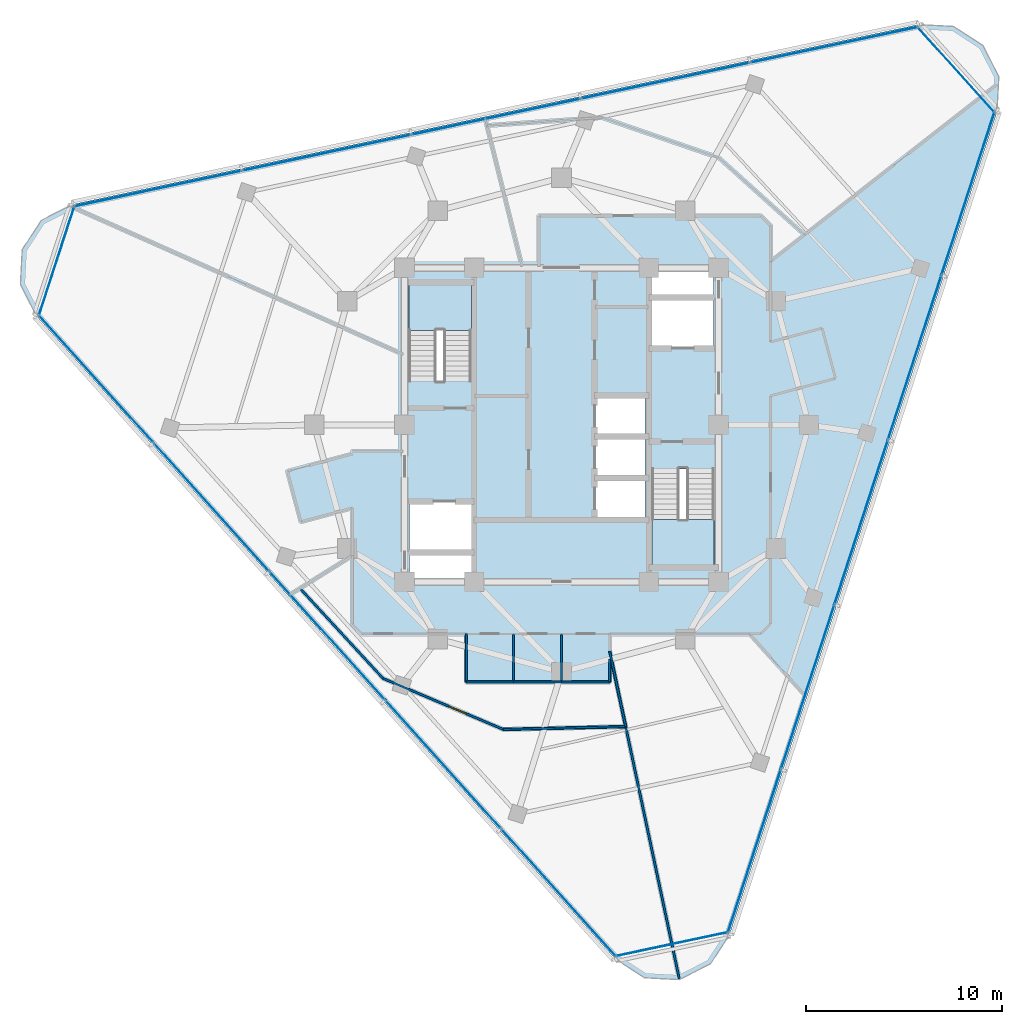
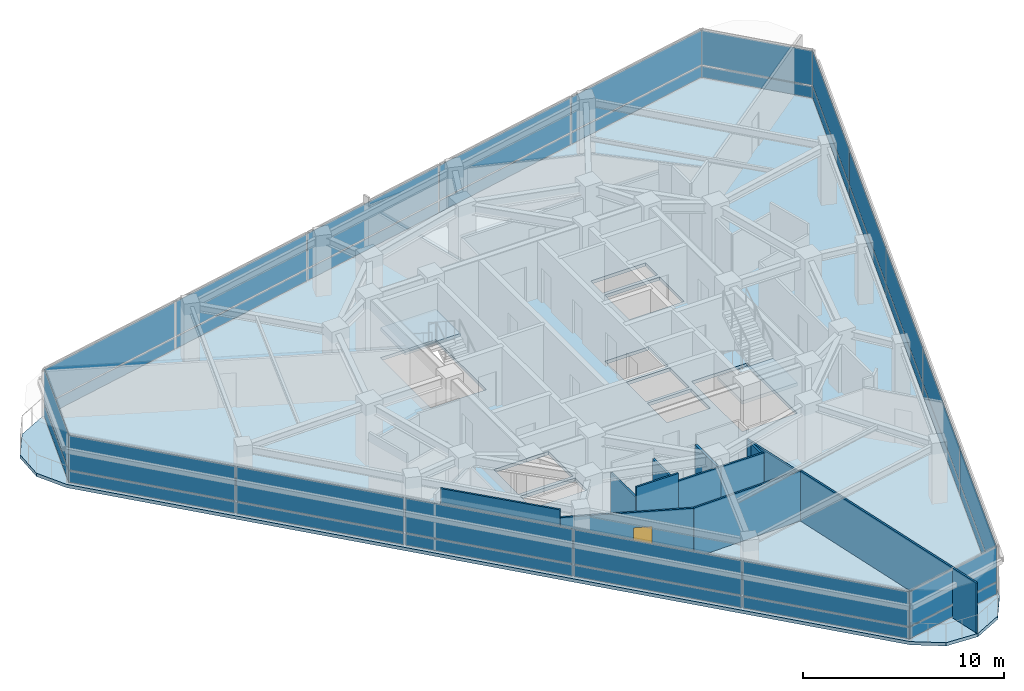
# One storey, part 7 of 15: 36 plates, 12 walls, 3 slabs, 1 door, 1 opening, 8 elements without a shape of their own.
"""IFC4 building model written with IfcOpenShell, lengths in metres."""

from ifc_helpers import new_model, si_unit, direction, frame, frame_2d, origin, origin_2d, place, context, subcontext, project, spatial, polyline, rectangle, outline, extrude, material, layer, layer_set, type_object, element, fill, aggregate, save


model = new_model("IFC4")

# Units and contexts
model_context = context("Model", 3, precision=1e-05, world=origin(), true_north=direction((0.0, 1.0)))
body_context = subcontext(model_context, "Body", "Model", "MODEL_VIEW")
ifc_project = project(units=[si_unit("LENGTHUNIT", "METRE"), si_unit("AREAUNIT", "SQUARE_METRE"), si_unit("VOLUMEUNIT", "CUBIC_METRE"), si_unit("PLANEANGLEUNIT", "RADIAN"), si_unit("MASSUNIT", "GRAM", prefix="KILO")], contexts=[model_context])

# Site, building, storey
site_placement = place(None, origin())
site = spatial("IfcSite", under=ifc_project, at=site_placement, CompositionType="ELEMENT")
building_placement = place(site_placement, origin())
building = spatial("IfcBuilding", under=site, at=building_placement, Name="Terralouvre Media Tower", CompositionType="ELEMENT")
storey_placement = place(building_placement, frame((0.0, 0.0, 286.89990234375)))
storey = spatial("IfcBuildingStorey", under=building, at=storey_placement, Name="L74", CompositionType="ELEMENT", Elevation=286.89990234375)

# Slab
ifc_material_1 = material(Name="Concrete C40/50", Category="concrete")
ifc_layer_1 = layer(ifc_material_1, 0.199951171875, Name="Composite Tower Floor Slab S-TYP200")
ifc_layer_set_1 = layer_set([ifc_layer_1], Name="Concrete C40/50")
slab_type_1 = type_object("IfcSlabType", Name="Composite Tower Floor Slab S-TYP200", PredefinedType="FLOOR", material=ifc_layer_set_1)
slab_1_placement = place(storey_placement, frame((0.0, 0.0, -0.199951171875), z_axis=(0.0, 0.0, 1.0), x_axis=(0.309016994375, 0.951056516295, 0.0)))
element("IfcSlab", 1, at=slab_1_placement, inside=storey, type_object=slab_type_1, Name="L74 Structural Floor Slab", PredefinedType="FLOOR", context=body_context, shape_type="SweptSolid", body=[
    extrude(outline(polyline([(-25.0390625, -11.016357421875), (-25.5, -12.736328125), (-25.0390625, -14.456298828125), (-23.780029296875, -15.715576171875), (-22.06005859375, -16.17626953125), (22.06005859375, -16.17626953125), (23.780029296875, -15.715576171875), (25.0390625, -14.456298828125), (25.5, -12.736328125), (25.0390625, -11.016357421875), (2.97900390625, 27.192626953125), (1.719970703125, 28.451904296875), (0.0, 28.91259765625), (-1.719970703125, 28.451904296875), (-2.97900390625, 27.192626953125), (-25.0390625, -11.016357421875)]), holes=[polyline([(-7.698486328125, 2.33544921875), (-8.839599609375, 1.964599609375), (-9.813232421875, 4.96044921875), (-8.671875, 5.3310546875), (-7.698486328125, 2.33544921875)]), polyline([(-5.17822265625, 3.154296875), (-7.50830078125, 2.397216796875), (-8.481689453125, 5.39306640625), (-6.151611328125, 6.150146484375), (-5.17822265625, 3.154296875)]), polyline([(-5.483154296875, -6.618408203125), (-0.713623046875, -5.068603515625), (0.26904296875, -8.093017578125), (-4.50048828125, -9.642578125), (-5.483154296875, -6.618408203125)]), polyline([(-1.33056640625, -4.901123046875), (-3.17578125, -5.50048828125), (-3.9482421875, -3.122802734375), (-2.103271484375, -2.5234375), (-1.33056640625, -4.901123046875)]), polyline([(0.66650390625, -4.252197265625), (-1.178466796875, -4.8515625), (-1.950927734375, -2.473876953125), (-0.10595703125, -1.87451171875), (0.66650390625, -4.252197265625)]), polyline([(2.663818359375, -3.603271484375), (0.81884765625, -4.20263671875), (0.046142578125, -1.824951171875), (1.891357421875, -1.2255859375), (2.663818359375, -3.603271484375)]), polyline([(5.483154296875, 6.618408203125), (0.713623046875, 5.068603515625), (-0.26904296875, 8.093017578125), (4.50048828125, 9.642578125), (5.483154296875, 6.618408203125)]), polyline([(6.151611328125, -6.150146484375), (5.17822265625, -3.154296875), (7.50830078125, -2.397216796875), (8.481689453125, -5.39306640625), (6.151611328125, -6.150146484375)]), polyline([(8.671875, -5.3310546875), (7.698486328125, -2.33544921875), (8.839599609375, -1.964599609375), (9.813232421875, -4.96044921875), (8.671875, -5.3310546875)])]), origin(), (0.0, 0.0, 1.0), 0.199951171875),
])

# Stair, slab
ifc_material_2 = material(Name="Concrete C45/55", Category="concrete")
stair_type_1 = type_object("IfcStairType", Name="Dogleg Stair Assembly ST-01", PredefinedType="HALF_TURN_STAIR", material=ifc_material_2)
stair_1_placement = place(storey_placement, origin())
stair_1 = element("IfcStair", 2, at=stair_1_placement, inside=storey, type_object=stair_type_1, Name="L74 Core Pressurised Exit Stair ST-01", PredefinedType="HALF_TURN_STAIR")
ifc_material_3 = material(Name="Concrete C45/55", Category="concrete")
ifc_layer_2 = layer(ifc_material_3, 0.199951171875, Name="Reinforced Concrete Stair Half-Landing SL-LD1")
ifc_layer_set_2 = layer_set([ifc_layer_2], Name="Concrete C45/55")
slab_type_2 = type_object("IfcSlabType", Name="Reinforced Concrete Stair Half-Landing SL-LD1", PredefinedType="LANDING", material=ifc_layer_set_2)
slab_2_placement = place(storey_placement, frame((0.0, 0.0, 1.650146484375)))
slab_2 = element("IfcSlab", 3, at=slab_2_placement, type_object=slab_type_2, Name="ST-01 landing 1", PredefinedType="LANDING", context=body_context, shape_type="SweptSolid", body=[
    extrude(outline(polyline([(-4.60009765625, 4.820068359375), (-4.60009765625, 7.260009765625), (-7.780029296875, 7.260009765625), (-7.780029296875, 4.820068359375), (-4.60009765625, 4.820068359375)])), origin(), (0.0, 0.0, 1.0), 0.199951171875),
])
aggregate(stair_1, [slab_2])

ifc_material_4 = material(Name="Concrete C45/55", Category="concrete")
stair_type_2 = type_object("IfcStairType", Name="Dogleg Stair Assembly ST-02", PredefinedType="HALF_TURN_STAIR", material=ifc_material_4)
stair_2_placement = place(storey_placement, origin())
stair_2 = element("IfcStair", 4, at=stair_2_placement, inside=storey, type_object=stair_type_2, Name="L74 Core Pressurised Exit Stair ST-02", PredefinedType="HALF_TURN_STAIR")
slab_3_placement = place(storey_placement, frame((0.0, 0.0, 1.650146484375)))
slab_3 = element("IfcSlab", 5, at=slab_3_placement, type_object=slab_type_2, Name="ST-02 landing 1", PredefinedType="LANDING", context=body_context, shape_type="SweptSolid", body=[
    extrude(outline(polyline([(4.60009765625, -4.820068359375), (4.60009765625, -7.260009765625), (7.780029296875, -7.260009765625), (7.780029296875, -4.820068359375), (4.60009765625, -4.820068359375)])), origin(), (0.0, 0.0, 1.0), 0.199951171875),
])
aggregate(stair_2, [slab_3])

# Curtain wall, plates
ifc_material_5 = material(Name="Low-iron laminated double glazing with solar-control coating", Category="glass")
ifc_layer_3 = layer(ifc_material_5, 0.1650390625, Name="Rounded Wind-Corner Curved Glazing CW-04")
ifc_layer_set_3 = layer_set([ifc_layer_3], Name="Low-iron laminated double glazing with solar-control coating")
curtain_wall_type_1 = type_object("IfcCurtainWallType", Name="Rounded Wind-Corner Curved Glazing CW-04", PredefinedType="NOTDEFINED", material=ifc_layer_set_3)
curtain_wall_1_placement = place(storey_placement, origin())
curtain_wall_1 = element("IfcCurtainWall", 6, at=curtain_wall_1_placement, inside=storey, type_object=curtain_wall_type_1, Name="L74 Rounded Wind-Corner Curtain Wall C0", PredefinedType="NOTDEFINED")
ifc_material_6 = material(Name="Low-iron laminated double glazing with solar-control coating", Category="glass")
ifc_layer_4 = layer(ifc_material_6, 0.0400390625, Name="Rounded Corner Laminated Vision Panel CWP-03")
ifc_layer_set_4 = layer_set([ifc_layer_4], Name="Low-iron laminated double glazing with solar-control coating")
plate_type_1 = type_object("IfcPlateType", Name="Rounded Corner Laminated Vision Panel CWP-03", PredefinedType="CURTAIN_PANEL", material=ifc_layer_set_4)
plate_1_placement = place(storey_placement, frame((5.62451171875, -26.46142578125, 0.0751953125), z_axis=(0.0, 0.0, 1.0), x_axis=(0.978147609922, 0.207911647592, 0.0)))
plate_1 = element("IfcPlate", 7, at=plate_1_placement, type_object=plate_type_1, Name="CW-04 panel 1.1", PredefinedType="CURTAIN_PANEL", context=body_context, shape_type="SweptSolid", body=[
    extrude(rectangle(XDim=5.808349609375, YDim=0.035888671875, at=origin_2d()), origin(), (0.0, 0.0, 1.0), 0.6875),
])
plate_2_placement = place(storey_placement, frame((5.62451171875, -26.46142578125, 0.837646484375), z_axis=(0.0, 0.0, 1.0), x_axis=(0.978147609922, 0.207911647592, 0.0)))
plate_2 = element("IfcPlate", 8, at=plate_2_placement, type_object=plate_type_1, Name="CW-04 panel 1.2", PredefinedType="CURTAIN_PANEL", context=body_context, shape_type="SweptSolid", body=[
    extrude(rectangle(XDim=5.808349609375, YDim=0.035888671875, at=origin_2d()), origin(), (0.0, 0.0, 1.0), 2.08740234375),
])
aggregate(curtain_wall_1, [plate_1, plate_2])

curtain_wall_2_placement = place(storey_placement, origin())
curtain_wall_2 = element("IfcCurtainWall", 9, at=curtain_wall_2_placement, inside=storey, type_object=curtain_wall_type_1, Name="L74 Rounded Wind-Corner Curtain Wall C1", PredefinedType="NOTDEFINED")
plate_3_placement = place(storey_placement, frame((20.10400390625, 18.101806640625, 0.0751953125), z_axis=(0.0, 0.0, 1.0), x_axis=(-0.669130231192, 0.743145163279, 0.0)))
plate_3 = element("IfcPlate", 10, at=plate_3_placement, type_object=plate_type_1, Name="CW-04 panel 1.1", PredefinedType="CURTAIN_PANEL", context=body_context, shape_type="SweptSolid", body=[
    extrude(rectangle(XDim=5.808349609375, YDim=0.035888671875, at=origin_2d()), origin(), (0.0, 0.0, 1.0), 0.6875),
])
plate_4_placement = place(storey_placement, frame((20.10400390625, 18.101806640625, 0.837646484375), z_axis=(0.0, 0.0, 1.0), x_axis=(-0.669130231192, 0.743145163279, 0.0)))
plate_4 = element("IfcPlate", 11, at=plate_4_placement, type_object=plate_type_1, Name="CW-04 panel 1.2", PredefinedType="CURTAIN_PANEL", context=body_context, shape_type="SweptSolid", body=[
    extrude(rectangle(XDim=5.808349609375, YDim=0.035888671875, at=origin_2d()), origin(), (0.0, 0.0, 1.0), 2.08740234375),
])
aggregate(curtain_wall_2, [plate_3, plate_4])

curtain_wall_3_placement = place(storey_placement, origin())
curtain_wall_3 = element("IfcCurtainWall", 12, at=curtain_wall_3_placement, inside=storey, type_object=curtain_wall_type_1, Name="L74 Rounded Wind-Corner Curtain Wall C2", PredefinedType="NOTDEFINED")
plate_5_placement = place(storey_placement, frame((-25.728759765625, 8.359619140625, 0.0751953125), z_axis=(0.0, 0.0, 1.0), x_axis=(-0.30901654693, -0.951056661679, 0.0)))
plate_5 = element("IfcPlate", 13, at=plate_5_placement, type_object=plate_type_1, Name="CW-04 panel 1.1", PredefinedType="CURTAIN_PANEL", context=body_context, shape_type="SweptSolid", body=[
    extrude(rectangle(XDim=5.808349609375, YDim=0.035888671875, at=origin_2d()), origin(), (0.0, 0.0, 1.0), 0.6875),
])
plate_6_placement = place(storey_placement, frame((-25.728759765625, 8.359619140625, 0.837646484375), z_axis=(0.0, 0.0, 1.0), x_axis=(-0.30901654693, -0.951056661679, 0.0)))
plate_6 = element("IfcPlate", 14, at=plate_6_placement, type_object=plate_type_1, Name="CW-04 panel 1.2", PredefinedType="CURTAIN_PANEL", context=body_context, shape_type="SweptSolid", body=[
    extrude(rectangle(XDim=5.808349609375, YDim=0.035888671875, at=origin_2d()), origin(), (0.0, 0.0, 1.0), 2.08740234375),
])
aggregate(curtain_wall_3, [plate_5, plate_6])

ifc_material_7 = material(Name="Low-iron laminated double glazing with solar-control coating", Category="glass")
ifc_layer_5 = layer(ifc_material_7, 0.1650390625, Name="Faceted Glass-Point Crown Curtain Wall CW-06")
ifc_layer_set_5 = layer_set([ifc_layer_5], Name="Low-iron laminated double glazing with solar-control coating")
curtain_wall_type_2 = type_object("IfcCurtainWallType", Name="Faceted Glass-Point Crown Curtain Wall CW-06", PredefinedType="NOTDEFINED", material=ifc_layer_set_5)
curtain_wall_4_placement = place(storey_placement, origin())
curtain_wall_4 = element("IfcCurtainWall", 15, at=curtain_wall_4_placement, inside=storey, type_object=curtain_wall_type_2, Name="L74 Facade Curtain Wall F0", PredefinedType="NOTDEFINED")
ifc_material_8 = material(Name="Low-iron laminated double glazing with solar-control coating", Category="glass")
ifc_layer_6 = layer(ifc_material_8, 0.035888671875, Name="Vision Double-Glazed Unit CWP-01")
ifc_layer_set_6 = layer_set([ifc_layer_6], Name="Low-iron laminated double glazing with solar-control coating")
plate_type_2 = type_object("IfcPlateType", Name="Vision Double-Glazed Unit CWP-01", PredefinedType="CURTAIN_PANEL", material=ifc_layer_set_6)
plate_7_placement = place(storey_placement, frame((9.82275390625, -21.72802734375, 0.0751953125), z_axis=(0.0, 0.0, 1.0), x_axis=(0.309017021946, 0.951056507337, 0.0)))
plate_7 = element("IfcPlate", 16, at=plate_7_placement, type_object=plate_type_2, Name="CW-06 panel 1.1", PredefinedType="CURTAIN_PANEL", context=body_context, shape_type="SweptSolid", body=[
    extrude(rectangle(XDim=8.71142578125, YDim=0.035888671875, at=origin_2d()), origin(), (0.0, 0.0, 1.0), 0.6875),
])
plate_8_placement = place(storey_placement, frame((9.82275390625, -21.72802734375, 0.837646484375), z_axis=(0.0, 0.0, 1.0), x_axis=(0.309017021946, 0.951056507337, 0.0)))
plate_8 = element("IfcPlate", 17, at=plate_8_placement, type_object=plate_type_2, Name="CW-06 panel 1.2", PredefinedType="CURTAIN_PANEL", context=body_context, shape_type="SweptSolid", body=[
    extrude(rectangle(XDim=8.71142578125, YDim=0.035888671875, at=origin_2d()), origin(), (0.0, 0.0, 1.0), 2.08740234375),
])
plate_9_placement = place(storey_placement, frame((12.543701171875, -13.353759765625, 0.0751953125), z_axis=(0.0, 0.0, 1.0), x_axis=(0.309017021946, 0.951056507337, 0.0)))
plate_9 = element("IfcPlate", 18, at=plate_9_placement, type_object=plate_type_2, Name="CW-06 panel 2.1", PredefinedType="CURTAIN_PANEL", context=body_context, shape_type="SweptSolid", body=[
    extrude(rectangle(XDim=8.7490234375, YDim=0.035888671875, at=origin_2d()), origin(), (0.0, 0.0, 1.0), 0.6875),
])
plate_10_placement = place(storey_placement, frame((12.543701171875, -13.353759765625, 0.837646484375), z_axis=(0.0, 0.0, 1.0), x_axis=(0.309017021946, 0.951056507337, 0.0)))
plate_10 = element("IfcPlate", 19, at=plate_10_placement, type_object=plate_type_2, Name="CW-06 panel 2.2", PredefinedType="CURTAIN_PANEL", context=body_context, shape_type="SweptSolid", body=[
    extrude(rectangle(XDim=8.7490234375, YDim=0.035888671875, at=origin_2d()), origin(), (0.0, 0.0, 1.0), 2.08740234375),
])
plate_11_placement = place(storey_placement, frame((15.2705078125, -4.961669921875, 0.0751953125), z_axis=(0.0, 0.0, 1.0), x_axis=(0.309017021946, 0.951056507337, 0.0)))
plate_11 = element("IfcPlate", 20, at=plate_11_placement, type_object=plate_type_2, Name="CW-06 panel 3.1", PredefinedType="CURTAIN_PANEL", context=body_context, shape_type="SweptSolid", body=[
    extrude(rectangle(XDim=8.7490234375, YDim=0.035888671875, at=origin_2d()), origin(), (0.0, 0.0, 1.0), 0.6875),
])
plate_12_placement = place(storey_placement, frame((15.2705078125, -4.961669921875, 0.837646484375), z_axis=(0.0, 0.0, 1.0), x_axis=(0.309017021946, 0.951056507337, 0.0)))
plate_12 = element("IfcPlate", 21, at=plate_12_placement, type_object=plate_type_2, Name="CW-06 panel 3.2", PredefinedType="CURTAIN_PANEL", context=body_context, shape_type="SweptSolid", body=[
    extrude(rectangle(XDim=8.7490234375, YDim=0.035888671875, at=origin_2d()), origin(), (0.0, 0.0, 1.0), 2.08740234375),
])
plate_13_placement = place(storey_placement, frame((17.997314453125, 3.430419921875, 0.0751953125), z_axis=(0.0, 0.0, 1.0), x_axis=(0.309017021946, 0.951056507337, 0.0)))
plate_13 = element("IfcPlate", 22, at=plate_13_placement, type_object=plate_type_2, Name="CW-06 panel 4.1", PredefinedType="CURTAIN_PANEL", context=body_context, shape_type="SweptSolid", body=[
    extrude(rectangle(XDim=8.7490234375, YDim=0.035888671875, at=origin_2d()), origin(), (0.0, 0.0, 1.0), 0.6875),
])
plate_14_placement = place(storey_placement, frame((17.997314453125, 3.430419921875, 0.837646484375), z_axis=(0.0, 0.0, 1.0), x_axis=(0.309017021946, 0.951056507337, 0.0)))
plate_14 = element("IfcPlate", 23, at=plate_14_placement, type_object=plate_type_2, Name="CW-06 panel 4.2", PredefinedType="CURTAIN_PANEL", context=body_context, shape_type="SweptSolid", body=[
    extrude(rectangle(XDim=8.7490234375, YDim=0.035888671875, at=origin_2d()), origin(), (0.0, 0.0, 1.0), 2.08740234375),
])
plate_15_placement = place(storey_placement, frame((20.71826171875, 11.8046875, 0.0751953125), z_axis=(0.0, 0.0, 1.0), x_axis=(0.309017021946, 0.951056507337, 0.0)))
plate_15 = element("IfcPlate", 24, at=plate_15_placement, type_object=plate_type_2, Name="CW-06 panel 5.1", PredefinedType="CURTAIN_PANEL", context=body_context, shape_type="SweptSolid", body=[
    extrude(rectangle(XDim=8.71142578125, YDim=0.035888671875, at=origin_2d()), origin(), (0.0, 0.0, 1.0), 0.6875),
])
plate_16_placement = place(storey_placement, frame((20.71826171875, 11.8046875, 0.837646484375), z_axis=(0.0, 0.0, 1.0), x_axis=(0.309017021946, 0.951056507337, 0.0)))
plate_16 = element("IfcPlate", 25, at=plate_16_placement, type_object=plate_type_2, Name="CW-06 panel 5.2", PredefinedType="CURTAIN_PANEL", context=body_context, shape_type="SweptSolid", body=[
    extrude(rectangle(XDim=8.71142578125, YDim=0.035888671875, at=origin_2d()), origin(), (0.0, 0.0, 1.0), 2.08740234375),
])
aggregate(curtain_wall_4, [plate_7, plate_8, plate_9, plate_10, plate_11, plate_12, plate_13, plate_14, plate_15, plate_16])

curtain_wall_5_placement = place(storey_placement, origin())
curtain_wall_5 = element("IfcCurtainWall", 26, at=curtain_wall_5_placement, inside=storey, type_object=curtain_wall_type_2, Name="L74 Facade Curtain Wall F1", PredefinedType="NOTDEFINED")
plate_17_placement = place(storey_placement, frame((13.90576171875, 19.370849609375, 0.0751953125), z_axis=(0.0, 0.0, 1.0), x_axis=(-0.978147616145, -0.207911618313, 0.0)))
plate_17 = element("IfcPlate", 27, at=plate_17_placement, type_object=plate_type_2, Name="CW-06 panel 1.1", PredefinedType="CURTAIN_PANEL", context=body_context, shape_type="SweptSolid", body=[
    extrude(rectangle(XDim=8.71142578125, YDim=0.035888671875, at=origin_2d()), origin(), (0.0, 0.0, 1.0), 0.6875),
])
plate_18_placement = place(storey_placement, frame((13.90576171875, 19.370849609375, 0.837646484375), z_axis=(0.0, 0.0, 1.0), x_axis=(-0.978147616145, -0.207911618313, 0.0)))
plate_18 = element("IfcPlate", 28, at=plate_18_placement, type_object=plate_type_2, Name="CW-06 panel 1.2", PredefinedType="CURTAIN_PANEL", context=body_context, shape_type="SweptSolid", body=[
    extrude(rectangle(XDim=8.71142578125, YDim=0.035888671875, at=origin_2d()), origin(), (0.0, 0.0, 1.0), 2.08740234375),
])
plate_19_placement = place(storey_placement, frame((5.29296875, 17.5400390625, 0.0751953125), z_axis=(0.0, 0.0, 1.0), x_axis=(-0.978147616145, -0.207911618313, 0.0)))
plate_19 = element("IfcPlate", 29, at=plate_19_placement, type_object=plate_type_2, Name="CW-06 panel 2.1", PredefinedType="CURTAIN_PANEL", context=body_context, shape_type="SweptSolid", body=[
    extrude(rectangle(XDim=8.7490234375, YDim=0.035888671875, at=origin_2d()), origin(), (0.0, 0.0, 1.0), 0.6875),
])
plate_20_placement = place(storey_placement, frame((5.29296875, 17.5400390625, 0.837646484375), z_axis=(0.0, 0.0, 1.0), x_axis=(-0.978147616145, -0.207911618313, 0.0)))
plate_20 = element("IfcPlate", 30, at=plate_20_placement, type_object=plate_type_2, Name="CW-06 panel 2.2", PredefinedType="CURTAIN_PANEL", context=body_context, shape_type="SweptSolid", body=[
    extrude(rectangle(XDim=8.7490234375, YDim=0.035888671875, at=origin_2d()), origin(), (0.0, 0.0, 1.0), 2.08740234375),
])
plate_21_placement = place(storey_placement, frame((-3.33837890625, 15.70556640625, 0.0751953125), z_axis=(0.0, 0.0, 1.0), x_axis=(-0.978147616145, -0.207911618313, 0.0)))
plate_21 = element("IfcPlate", 31, at=plate_21_placement, type_object=plate_type_2, Name="CW-06 panel 3.1", PredefinedType="CURTAIN_PANEL", context=body_context, shape_type="SweptSolid", body=[
    extrude(rectangle(XDim=8.7490234375, YDim=0.035888671875, at=origin_2d()), origin(), (0.0, 0.0, 1.0), 0.6875),
])
plate_22_placement = place(storey_placement, frame((-3.33837890625, 15.70556640625, 0.837646484375), z_axis=(0.0, 0.0, 1.0), x_axis=(-0.978147616145, -0.207911618313, 0.0)))
plate_22 = element("IfcPlate", 32, at=plate_22_placement, type_object=plate_type_2, Name="CW-06 panel 3.2", PredefinedType="CURTAIN_PANEL", context=body_context, shape_type="SweptSolid", body=[
    extrude(rectangle(XDim=8.7490234375, YDim=0.035888671875, at=origin_2d()), origin(), (0.0, 0.0, 1.0), 2.08740234375),
])
plate_23_placement = place(storey_placement, frame((-11.969482421875, 13.870849609375, 0.0751953125), z_axis=(0.0, 0.0, 1.0), x_axis=(-0.978147616145, -0.207911618313, 0.0)))
plate_23 = element("IfcPlate", 33, at=plate_23_placement, type_object=plate_type_2, Name="CW-06 panel 4.1", PredefinedType="CURTAIN_PANEL", context=body_context, shape_type="SweptSolid", body=[
    extrude(rectangle(XDim=8.7490234375, YDim=0.035888671875, at=origin_2d()), origin(), (0.0, 0.0, 1.0), 0.6875),
])
plate_24_placement = place(storey_placement, frame((-11.969482421875, 13.870849609375, 0.837646484375), z_axis=(0.0, 0.0, 1.0), x_axis=(-0.978147616145, -0.207911618313, 0.0)))
plate_24 = element("IfcPlate", 34, at=plate_24_placement, type_object=plate_type_2, Name="CW-06 panel 4.2", PredefinedType="CURTAIN_PANEL", context=body_context, shape_type="SweptSolid", body=[
    extrude(rectangle(XDim=8.7490234375, YDim=0.035888671875, at=origin_2d()), origin(), (0.0, 0.0, 1.0), 2.08740234375),
])
plate_25_placement = place(storey_placement, frame((-20.582275390625, 12.0400390625, 0.0751953125), z_axis=(0.0, 0.0, 1.0), x_axis=(-0.978147616145, -0.207911618313, 0.0)))
plate_25 = element("IfcPlate", 35, at=plate_25_placement, type_object=plate_type_2, Name="CW-06 panel 5.1", PredefinedType="CURTAIN_PANEL", context=body_context, shape_type="SweptSolid", body=[
    extrude(rectangle(XDim=8.71142578125, YDim=0.035888671875, at=origin_2d()), origin(), (0.0, 0.0, 1.0), 0.6875),
])
plate_26_placement = place(storey_placement, frame((-20.582275390625, 12.0400390625, 0.837646484375), z_axis=(0.0, 0.0, 1.0), x_axis=(-0.978147616145, -0.207911618313, 0.0)))
plate_26 = element("IfcPlate", 36, at=plate_26_placement, type_object=plate_type_2, Name="CW-06 panel 5.2", PredefinedType="CURTAIN_PANEL", context=body_context, shape_type="SweptSolid", body=[
    extrude(rectangle(XDim=8.71142578125, YDim=0.035888671875, at=origin_2d()), origin(), (0.0, 0.0, 1.0), 2.08740234375),
])
aggregate(curtain_wall_5, [plate_17, plate_18, plate_19, plate_20, plate_21, plate_22, plate_23, plate_24, plate_25, plate_26])

curtain_wall_6_placement = place(storey_placement, origin())
curtain_wall_6 = element("IfcCurtainWall", 37, at=curtain_wall_6_placement, inside=storey, type_object=curtain_wall_type_2, Name="L74 Facade Curtain Wall F2", PredefinedType="NOTDEFINED")
plate_27_placement = place(storey_placement, frame((-23.728515625, 2.357177734375, 0.0751953125), z_axis=(0.0, 0.0, 1.0), x_axis=(0.669130573531, -0.743144855036, 0.0)))
plate_27 = element("IfcPlate", 38, at=plate_27_placement, type_object=plate_type_2, Name="CW-06 panel 1.1", PredefinedType="CURTAIN_PANEL", context=body_context, shape_type="SweptSolid", body=[
    extrude(rectangle(XDim=8.71142578125, YDim=0.035888671875, at=origin_2d()), origin(), (0.0, 0.0, 1.0), 0.6875),
])
plate_28_placement = place(storey_placement, frame((-23.728515625, 2.357177734375, 0.837646484375), z_axis=(0.0, 0.0, 1.0), x_axis=(0.669130573531, -0.743144855036, 0.0)))
plate_28 = element("IfcPlate", 39, at=plate_28_placement, type_object=plate_type_2, Name="CW-06 panel 1.2", PredefinedType="CURTAIN_PANEL", context=body_context, shape_type="SweptSolid", body=[
    extrude(rectangle(XDim=8.71142578125, YDim=0.035888671875, at=origin_2d()), origin(), (0.0, 0.0, 1.0), 2.08740234375),
])
plate_29_placement = place(storey_placement, frame((-17.836669921875, -4.186279296875, 0.0751953125), z_axis=(0.0, 0.0, 1.0), x_axis=(0.669130573531, -0.743144855036, 0.0)))
plate_29 = element("IfcPlate", 40, at=plate_29_placement, type_object=plate_type_2, Name="CW-06 panel 2.1", PredefinedType="CURTAIN_PANEL", context=body_context, shape_type="SweptSolid", body=[
    extrude(rectangle(XDim=8.7490234375, YDim=0.035888671875, at=origin_2d()), origin(), (0.0, 0.0, 1.0), 0.6875),
])
plate_30_placement = place(storey_placement, frame((-17.836669921875, -4.186279296875, 0.837646484375), z_axis=(0.0, 0.0, 1.0), x_axis=(0.669130573531, -0.743144855036, 0.0)))
plate_30 = element("IfcPlate", 41, at=plate_30_placement, type_object=plate_type_2, Name="CW-06 panel 2.2", PredefinedType="CURTAIN_PANEL", context=body_context, shape_type="SweptSolid", body=[
    extrude(rectangle(XDim=8.7490234375, YDim=0.035888671875, at=origin_2d()), origin(), (0.0, 0.0, 1.0), 2.08740234375),
])
plate_31_placement = place(storey_placement, frame((-11.93212890625, -10.743896484375, 0.0751953125), z_axis=(0.0, 0.0, 1.0), x_axis=(0.669130573531, -0.743144855036, 0.0)))
plate_31 = element("IfcPlate", 42, at=plate_31_placement, type_object=plate_type_2, Name="CW-06 panel 3.1", PredefinedType="CURTAIN_PANEL", context=body_context, shape_type="SweptSolid", body=[
    extrude(rectangle(XDim=8.7490234375, YDim=0.035888671875, at=origin_2d()), origin(), (0.0, 0.0, 1.0), 0.6875),
])
plate_32_placement = place(storey_placement, frame((-11.93212890625, -10.743896484375, 0.837646484375), z_axis=(0.0, 0.0, 1.0), x_axis=(0.669130573531, -0.743144855036, 0.0)))
plate_32 = element("IfcPlate", 43, at=plate_32_placement, type_object=plate_type_2, Name="CW-06 panel 3.2", PredefinedType="CURTAIN_PANEL", context=body_context, shape_type="SweptSolid", body=[
    extrude(rectangle(XDim=8.7490234375, YDim=0.035888671875, at=origin_2d()), origin(), (0.0, 0.0, 1.0), 2.08740234375),
])
plate_33_placement = place(storey_placement, frame((-6.02783203125, -17.30126953125, 0.0751953125), z_axis=(0.0, 0.0, 1.0), x_axis=(0.669130573531, -0.743144855036, 0.0)))
plate_33 = element("IfcPlate", 44, at=plate_33_placement, type_object=plate_type_2, Name="CW-06 panel 4.1", PredefinedType="CURTAIN_PANEL", context=body_context, shape_type="SweptSolid", body=[
    extrude(rectangle(XDim=8.7490234375, YDim=0.035888671875, at=origin_2d()), origin(), (0.0, 0.0, 1.0), 0.6875),
])
plate_34_placement = place(storey_placement, frame((-6.02783203125, -17.30126953125, 0.837646484375), z_axis=(0.0, 0.0, 1.0), x_axis=(0.669130573531, -0.743144855036, 0.0)))
plate_34 = element("IfcPlate", 45, at=plate_34_placement, type_object=plate_type_2, Name="CW-06 panel 4.2", PredefinedType="CURTAIN_PANEL", context=body_context, shape_type="SweptSolid", body=[
    extrude(rectangle(XDim=8.7490234375, YDim=0.035888671875, at=origin_2d()), origin(), (0.0, 0.0, 1.0), 2.08740234375),
])
plate_35_placement = place(storey_placement, frame((-0.135986328125, -23.844970703125, 0.0751953125), z_axis=(0.0, 0.0, 1.0), x_axis=(0.669130573531, -0.743144855036, 0.0)))
plate_35 = element("IfcPlate", 46, at=plate_35_placement, type_object=plate_type_2, Name="CW-06 panel 5.1", PredefinedType="CURTAIN_PANEL", context=body_context, shape_type="SweptSolid", body=[
    extrude(rectangle(XDim=8.71142578125, YDim=0.035888671875, at=origin_2d()), origin(), (0.0, 0.0, 1.0), 0.6875),
])
plate_36_placement = place(storey_placement, frame((-0.135986328125, -23.844970703125, 0.837646484375), z_axis=(0.0, 0.0, 1.0), x_axis=(0.669130573531, -0.743144855036, 0.0)))
plate_36 = element("IfcPlate", 47, at=plate_36_placement, type_object=plate_type_2, Name="CW-06 panel 5.2", PredefinedType="CURTAIN_PANEL", context=body_context, shape_type="SweptSolid", body=[
    extrude(rectangle(XDim=8.71142578125, YDim=0.035888671875, at=origin_2d()), origin(), (0.0, 0.0, 1.0), 2.08740234375),
])
aggregate(curtain_wall_6, [plate_27, plate_28, plate_29, plate_30, plate_31, plate_32, plate_33, plate_34, plate_35, plate_36])

# Walls
ifc_material_9 = material(Name="Low-iron laminated double glazing with solar-control coating", Category="glass")
ifc_layer_7 = layer(ifc_material_9, 0.10009765625, Name="Demountable Glazed Office Partition PT-GL100")
ifc_layer_set_7 = layer_set([ifc_layer_7], Name="Low-iron laminated double glazing with solar-control coating")
wall_type_1 = type_object("IfcWallType", Name="Demountable Glazed Office Partition PT-GL100", PredefinedType="MOVABLE", material=ifc_layer_set_7)
wall_1_placement = place(storey_placement, frame((-2.449951171875, -13.10009765625, 0.0), z_axis=(0.0, 0.0, 1.0), x_axis=(-1.0, 0.0, 0.0)))
element("IfcWall", 48, at=wall_1_placement, inside=storey, type_object=wall_type_1, Name="L74 Interior Partition 030", PredefinedType="MOVABLE", context=body_context, shape_type="SweptSolid", body=[
    extrude(rectangle(XDim=2.400146484375, YDim=0.10009765625, at=frame_2d((1.2001953125, 0.0))), origin(), (0.0, 0.0, 1.0), 3.5),
])
wall_2_placement = place(storey_placement, frame((-4.85009765625, -13.10009765625, 0.0), z_axis=(0.0, 0.0, 1.0), x_axis=(0.0, 1.0, 0.0)))
element("IfcWall", 49, at=wall_2_placement, inside=storey, type_object=wall_type_1, Name="L74 Interior Partition 031", PredefinedType="MOVABLE", context=body_context, shape_type="SweptSolid", body=[
    extrude(rectangle(XDim=2.4501953125, YDim=0.10009765625, at=frame_2d((1.22509765625, 0.0))), origin(), (0.0, 0.0, 1.0), 2.885009765625),
])
wall_3_placement = place(storey_placement, frame((0.0, -13.10009765625, 0.0), z_axis=(0.0, 0.0, 1.0), x_axis=(-1.0, 0.0, 0.0)))
element("IfcWall", 50, at=wall_3_placement, inside=storey, type_object=wall_type_1, Name="L74 Interior Partition 032", PredefinedType="MOVABLE", context=body_context, shape_type="SweptSolid", body=[
    extrude(rectangle(XDim=2.449951171875, YDim=0.10009765625, at=frame_2d((1.22509765625, 0.0))), origin(), (0.0, 0.0, 1.0), 3.03515625),
])
wall_4_placement = place(storey_placement, frame((-13.3291015625, -8.3291015625, 0.0), z_axis=(0.0, 0.0, 1.0), x_axis=(0.677841155448, -0.735208384052, 0.0)))
element("IfcWall", 51, at=wall_4_placement, inside=storey, type_object=wall_type_1, Name="L74 Interior Partition 033", PredefinedType="MOVABLE", context=body_context, shape_type="SweptSolid", body=[
    extrude(rectangle(XDim=6.239013671875, YDim=0.10009765625, at=frame_2d((3.11962890625, 0.0))), origin(), (0.0, 0.0, 1.0), 3.5),
])

# Wall, opening, door
wall_5_placement = place(storey_placement, frame((-9.10009765625, -12.916015625, 0.0), z_axis=(0.0, 0.0, 1.0), x_axis=(0.920506675175, -0.390726836752, 0.0)))
wall_5 = element("IfcWall", 52, at=wall_5_placement, inside=storey, type_object=wall_type_1, Name="L74 Interior Partition 034", PredefinedType="MOVABLE", context=body_context, shape_type="SweptSolid", body=[
    extrude(rectangle(XDim=6.659423828125, YDim=0.10009765625, at=frame_2d((3.32958984375, 0.0))), origin(), (0.0, 0.0, 1.0), 3.03515625),
])
opening_placement = place(wall_5_placement, frame((3.668701171875, 0.0, 0.0)))
opening = element("IfcOpeningElement", 53, at=opening_placement, cuts=wall_5, Name="Opening ID-03-92X210", PredefinedType="OPENING", context=body_context, shape_type="SweptSolid", body=[
    extrude(rectangle(XDim=0.919921875, YDim=2.10009765625, at=frame_2d((0.4599609375, 1.050048828125))), frame((0.0, 0.06005859375, 0.0), z_axis=(0.0, -1.0, 0.0), x_axis=(1.0, 0.0, 0.0)), (0.0, 0.0, 1.0), 0.1201171875),
])
ifc_material_10 = material(Name="Engineered hardwood acoustic timber leaf", Category="wood")
door_type = type_object("IfcDoorType", Name="Accessible Restroom and Suite Door ID-03 (920x2100)", OperationType="NOTDEFINED", PredefinedType="DOOR", material=ifc_material_10)
door_placement = place(opening_placement, origin())
door = element("IfcDoor", 54, at=door_placement, inside=storey, type_object=door_type, Name="L74 Broadcast Ethics Seminar Room 4 Door", OperationType="SINGLE_SWING_LEFT", OverallHeight=2.10009765625, OverallWidth=0.919921875, PredefinedType="DOOR", context=body_context, shape_type="SweptSolid", body=[
    extrude(rectangle(XDim=0.919921875, YDim=2.10009765625, at=frame_2d((0.4599609375, 1.050048828125))), frame((0.0, 0.02490234375, 0.0), z_axis=(0.0, -1.0, 0.0), x_axis=(1.0, 0.0, 0.0)), (0.0, 0.0, 1.0), 0.050048828125),
])
fill(opening, door)

# Walls
wall_6_placement = place(storey_placement, frame((-2.969970703125, -15.51806640625, 0.0), z_axis=(0.0, 0.0, 1.0), x_axis=(0.99972988351, 0.023241342836, 0.0)))
element("IfcWall", 55, at=wall_6_placement, inside=storey, type_object=wall_type_1, Name="L74 Interior Partition 035", PredefinedType="MOVABLE", context=body_context, shape_type="SweptSolid", body=[
    extrude(rectangle(XDim=6.23974609375, YDim=0.10009765625, at=frame_2d((3.119873046875, 0.0))), origin(), (0.0, 0.0, 1.0), 3.03515625),
])
wall_7_placement = place(storey_placement, frame((2.449951171875, -11.9345703125, 0.0), z_axis=(0.0, 0.0, 1.0), x_axis=(0.0, -1.0, 0.0)))
element("IfcWall", 56, at=wall_7_placement, inside=storey, type_object=wall_type_1, Name="L74 Interior Partition 036", PredefinedType="MOVABLE", context=body_context, shape_type="SweptSolid", body=[
    extrude(rectangle(XDim=1.16552734375, YDim=0.10009765625, at=frame_2d((0.582763671875, 0.0))), origin(), (0.0, 0.0, 1.0), 2.885009765625),
])
wall_8_placement = place(storey_placement, frame((2.449951171875, -13.10009765625, 0.0), z_axis=(0.0, 0.0, 1.0), x_axis=(-1.0, 0.0, 0.0)))
element("IfcWall", 57, at=wall_8_placement, inside=storey, type_object=wall_type_1, Name="L74 Interior Partition 037", PredefinedType="MOVABLE", context=body_context, shape_type="SweptSolid", body=[
    extrude(rectangle(XDim=2.449951171875, YDim=0.10009765625, at=frame_2d((1.22509765625, 0.0))), origin(), (0.0, 0.0, 1.0), 3.03515625),
])
wall_9_placement = place(storey_placement, frame((3.26806640625, -15.373046875, 0.0), z_axis=(0.0, 0.0, 1.0), x_axis=(-0.208002774368, 0.978128235895, 0.0)))
element("IfcWall", 58, at=wall_9_placement, inside=storey, type_object=wall_type_1, Name="L74 Interior Partition 038", PredefinedType="MOVABLE", context=body_context, shape_type="SweptSolid", body=[
    extrude(rectangle(XDim=3.93310546875, YDim=0.10009765625, at=frame_2d((1.966552734375, 0.0))), origin(), (0.0, 0.0, 1.0), 2.885009765625),
])
wall_10_placement = place(storey_placement, frame((5.99365234375, -28.19970703125, 0.0), z_axis=(0.0, 0.0, 1.0), x_axis=(-0.20785296635, 0.978160081162, 0.0)))
element("IfcWall", 59, at=wall_10_placement, inside=storey, type_object=wall_type_1, Name="L74 Interior Partition 041", PredefinedType="MOVABLE", context=body_context, shape_type="SweptSolid", body=[
    extrude(rectangle(XDim=13.113037109375, YDim=0.10009765625, at=frame_2d((6.556640625, 0.0))), origin(), (0.0, 0.0, 1.0), 3.03515625),
])
ifc_material_11 = material(Name="Fire-rated gypsum board drywall partition")
ifc_layer_8 = layer(ifc_material_11, 0.114990234375, Name="Restroom and Pantry Partition PT-115")
ifc_layer_set_8 = layer_set([ifc_layer_8], Name="Fire-rated gypsum board drywall partition")
wall_type_2 = type_object("IfcWallType", Name="Restroom and Pantry Partition PT-115", PredefinedType="PARTITIONING", material=ifc_layer_set_8)
for number, where, z_axis, x_axis, name in (
    (60, (-2.449951171875, -13.10009765625, 0.0), (0.0, 0.0, 1.0), (0.0, 1.0, 0.0), "L74 Interior Partition 039"),
    (61, (0.0, -13.10009765625, 0.0), (0.0, 0.0, 1.0), (0.0, 1.0, 0.0), "L74 Interior Partition 040"),
):
    element("IfcWall", number, at=place(storey_placement, frame(where, z_axis=z_axis, x_axis=x_axis)), inside=storey, type_object=wall_type_2, Name=name, PredefinedType="PARTITIONING", context=body_context, shape_type="SweptSolid", body=[
        extrude(rectangle(XDim=2.4501953125, YDim=0.114990234375, at=frame_2d((1.22509765625, 0.0))), origin(), (0.0, 0.0, 1.0), 2.885009765625),
    ])

save(model, "model.ifc")
